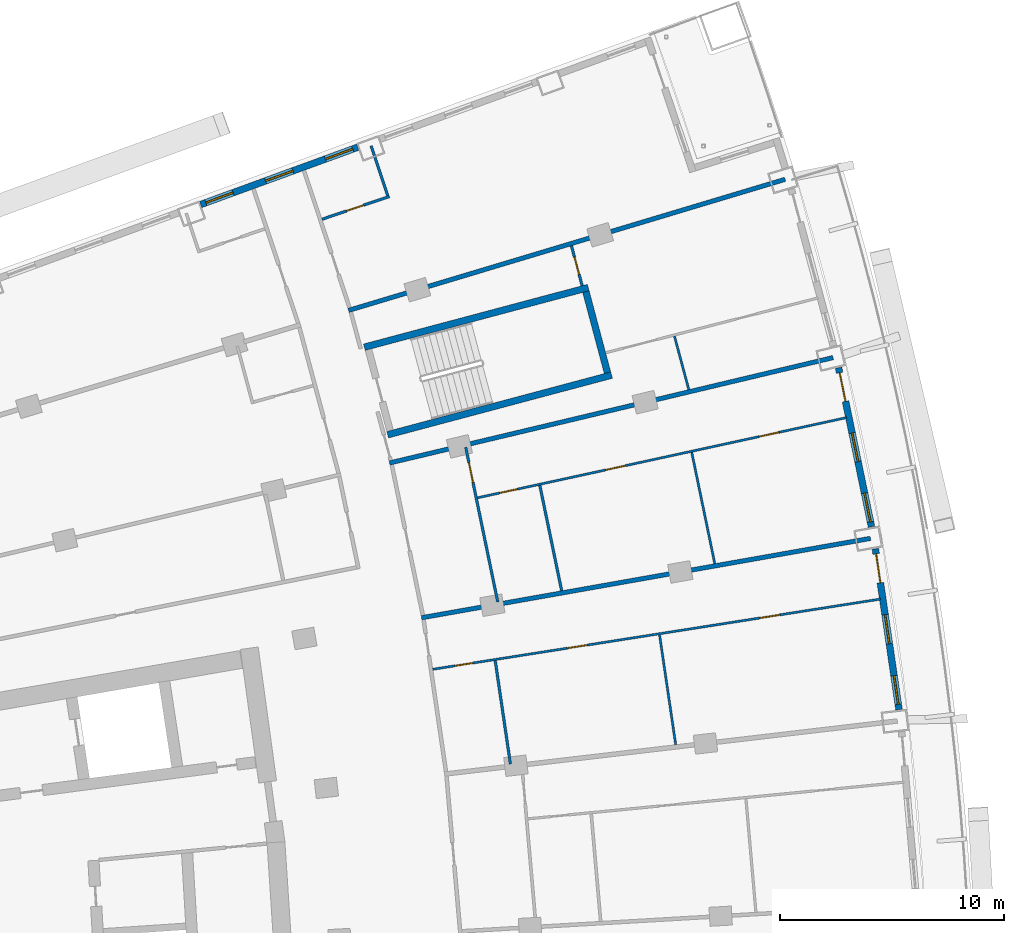
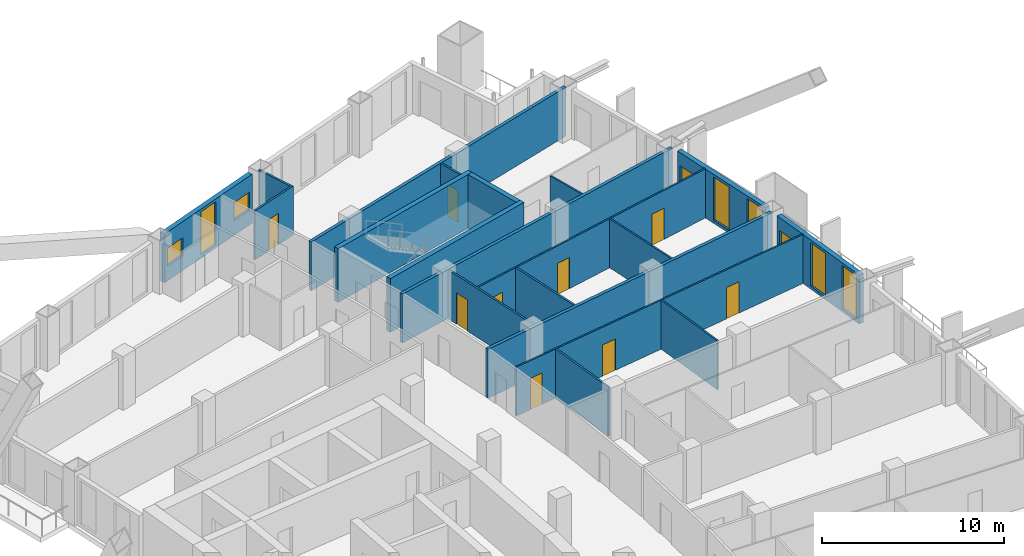
# One storey, part 20 of 25: 20 walls, 11 doors, 7 windows, 18 openings.
"""IFC4 building model written with IfcOpenShell, lengths in metres."""

from ifc_helpers import new_model, si_unit, direction, frame, frame_2d, origin, place, context, subcontext, project, spatial, rectangle, extrude, material, layer, layer_set, type_object, element, fill, save


model = new_model("IFC4")

# Units and contexts
model_context = context("Model", 3, precision=1e-05, world=origin(), true_north=direction((0.0, 1.0)))
body_context = subcontext(model_context, "Body", "Model", "MODEL_VIEW")
ifc_project = project(units=[si_unit("LENGTHUNIT", "METRE"), si_unit("AREAUNIT", "SQUARE_METRE"), si_unit("VOLUMEUNIT", "CUBIC_METRE"), si_unit("PLANEANGLEUNIT", "RADIAN"), si_unit("MASSUNIT", "GRAM", prefix="KILO")], contexts=[model_context])

# Site, building, storey
site_placement = place(None, origin())
site = spatial("IfcSite", under=ifc_project, at=site_placement, CompositionType="ELEMENT")
building_placement = place(site_placement, origin())
building = spatial("IfcBuilding", under=site, at=building_placement, Name="Alderwake Tower", CompositionType="ELEMENT")
storey_placement = place(building_placement, frame((0.0, 0.0, 93.199951171875)))
storey = spatial("IfcBuildingStorey", under=building, at=storey_placement, Name="L22", CompositionType="ELEMENT", Elevation=93.199951171875)

# Walls
ifc_material_1 = material(Name="Concrete C70/85", Category="concrete")
ifc_layer_1 = layer(ifc_material_1, 0.300048828125)
ifc_layer_set_1 = layer_set([ifc_layer_1], Name="Core wall stair enclosure 300 C70-85")
wall_type_1 = type_object("IfcWallType", Name="Core wall stair enclosure 300 C70-85", PredefinedType="SHEAR", material=ifc_layer_set_1)
for number, where, z_axis, x_axis, name in (
    (1, (36.71142578125, 94.182373046875, 0.0), (0.0, 0.0, 1.0), (0.966309214305, 0.257383958996, 0.0), "Core wall CW.082"),
    (2, (37.75390625, 90.268798828125, 0.0), (0.0, 0.0, 1.0), (0.966309214305, 0.257383958996, 0.0), "Core wall CW.084"),
):
    element("IfcWall", number, at=place(storey_placement, frame(where, z_axis=z_axis, x_axis=x_axis)), inside=storey, type_object=wall_type_1, Name=name, PredefinedType="SHEAR", context=body_context, shape_type="SweptSolid", body=[
        extrude(rectangle(XDim=10.360107421875, YDim=0.300048828125, at=frame_2d((5.18017578125, 0.0))), origin(), (0.0, 0.0, 1.0), 3.60009765625),
    ])
wall_1_placement = place(storey_placement, frame((47.581298828125, 93.041748046875, 0.0), z_axis=(0.0, 0.0, 1.0), x_axis=(-0.257366821694, 0.966313778796, 0.0)))
element("IfcWall", 3, at=wall_1_placement, inside=storey, type_object=wall_type_1, Name="Core wall CW.081", PredefinedType="SHEAR", context=body_context, shape_type="SweptSolid", body=[
    extrude(rectangle(XDim=3.749755859375, YDim=0.300048828125, at=frame_2d((1.875, 0.0))), origin(), (0.0, 0.0, 1.0), 3.60009765625),
])

# Wall, openings, door, windows
ifc_material_2 = material(Name="Precast concrete C50/60 spandrel panel", Category="concrete")
ifc_layer_2 = layer(ifc_material_2, 0.300048828125)
ifc_layer_set_2 = layer_set([ifc_layer_2], Name="External wall EW1 Precast concrete C50/60 spandrel")
wall_type_2 = type_object("IfcWallType", Name="External wall EW1 Precast concrete C50/60 spandrel", PredefinedType="SOLIDWALL", material=ifc_layer_set_2)
wall_2_placement = place(storey_placement, frame((60.614501953125, 77.98193359375, 0.0), z_axis=(0.0, 0.0, 1.0), x_axis=(-0.145325629986, 0.989383879629, 0.0)))
wall_2 = element("IfcWall", 4, at=wall_2_placement, inside=storey, type_object=wall_type_2, Name="External wall 19", PredefinedType="SOLIDWALL", context=body_context, shape_type="SweptSolid", body=[
    extrude(rectangle(XDim=7.26416015625, YDim=0.300048828125, at=frame_2d((3.632080078125, 0.0))), origin(), (0.0, 0.0, 1.0), 3.280029296875),
])
opening_1_placement = place(wall_2_placement, frame((0.23291015625, 0.0, 0.199951171875)))
opening_1 = element("IfcOpeningElement", 5, at=opening_1_placement, cuts=wall_2, Name="Opening W1", PredefinedType="OPENING", context=body_context, shape_type="SweptSolid", body=[
    extrude(rectangle(XDim=1.300048828125, YDim=2.89990234375, at=frame_2d((0.64990234375, 1.449951171875))), frame((0.0, 0.159912109375, 0.0), z_axis=(0.0, -1.0, 0.0), x_axis=(1.0, 0.0, 0.0)), (0.0, 0.0, 1.0), 0.320068359375),
])
opening_2_placement = place(wall_2_placement, frame((2.98193359375, 0.0, 0.199951171875)))
opening_2 = element("IfcOpeningElement", 6, at=opening_2_placement, cuts=wall_2, Name="Opening W1", PredefinedType="OPENING", context=body_context, shape_type="SweptSolid", body=[
    extrude(rectangle(XDim=1.300048828125, YDim=2.89990234375, at=frame_2d((0.64990234375, 1.449951171875))), frame((0.0, 0.159912109375, 0.0), z_axis=(0.0, -1.0, 0.0), x_axis=(1.0, 0.0, 0.0)), (0.0, 0.0, 1.0), 0.320068359375),
])
opening_3_placement = place(wall_2_placement, frame((5.731201171875, 0.0, 0.0)))
opening_3 = element("IfcOpeningElement", 7, at=opening_3_placement, cuts=wall_2, Name="Opening D09", PredefinedType="OPENING", context=body_context, shape_type="SweptSolid", body=[
    extrude(rectangle(XDim=1.300048828125, YDim=2.39990234375, at=frame_2d((0.64990234375, 1.199951171875))), frame((0.0, 0.159912109375, 0.0), z_axis=(0.0, -1.0, 0.0), x_axis=(1.0, 0.0, 0.0)), (0.0, 0.0, 1.0), 0.320068359375),
])
ifc_material_3 = material(Name="Bronze tinted glass in aluminium frame", Category="aluminium")
door_type_1 = type_object("IfcDoorType", Name="Balcony door BD sliding", OperationType="SLIDING_TO_LEFT", PredefinedType="DOOR", material=ifc_material_3)
door_1_placement = place(opening_3_placement, origin())
door_1 = element("IfcDoor", 8, at=door_1_placement, inside=storey, type_object=door_type_1, Name="Door D09", OperationType="SLIDING_TO_LEFT", OverallHeight=2.39990234375, OverallWidth=1.300048828125, PredefinedType="DOOR", context=body_context, shape_type="SweptSolid", body=[
    extrude(rectangle(XDim=1.300048828125, YDim=2.39990234375, at=frame_2d((0.64990234375, 1.199951171875))), frame((0.0, 0.02490234375, 0.0), z_axis=(0.0, -1.0, 0.0), x_axis=(1.0, 0.0, 0.0)), (0.0, 0.0, 1.0), 0.050048828125),
])
fill(opening_3, door_1)
ifc_material_4 = material(Name="Bronze tinted glass in aluminium frame", Category="aluminium")
window_type_1 = type_object("IfcWindowType", Name="Window W1 tall fixed and vent", PartitioningType="DOUBLE_PANEL_VERTICAL", PredefinedType="WINDOW", material=ifc_material_4)
window_1_placement = place(opening_1_placement, origin())
window_1 = element("IfcWindow", 9, at=window_1_placement, inside=storey, type_object=window_type_1, Name="Window W1 tall fixed and vent", OverallHeight=2.89990234375, OverallWidth=1.300048828125, PartitioningType="DOUBLE_PANEL_VERTICAL", PredefinedType="WINDOW", context=body_context, shape_type="SweptSolid", body=[
    extrude(rectangle(XDim=1.300048828125, YDim=2.89990234375, at=frame_2d((0.64990234375, 1.449951171875))), frame((0.0, 0.030029296875, 0.0), z_axis=(0.0, -1.0, 0.0), x_axis=(1.0, 0.0, 0.0)), (0.0, 0.0, 1.0), 0.06005859375),
])
fill(opening_1, window_1)
window_2_placement = place(opening_2_placement, origin())
window_2 = element("IfcWindow", 10, at=window_2_placement, inside=storey, type_object=window_type_1, Name="Window W1 tall fixed and vent", OverallHeight=2.89990234375, OverallWidth=1.300048828125, PartitioningType="DOUBLE_PANEL_VERTICAL", PredefinedType="WINDOW", context=body_context, shape_type="SweptSolid", body=[
    extrude(rectangle(XDim=1.300048828125, YDim=2.89990234375, at=frame_2d((0.64990234375, 1.449951171875))), frame((0.0, 0.030029296875, 0.0), z_axis=(0.0, -1.0, 0.0), x_axis=(1.0, 0.0, 0.0)), (0.0, 0.0, 1.0), 0.06005859375),
])
fill(opening_2, window_2)

wall_3_placement = place(storey_placement, frame((59.38525390625, 86.15087890625, 0.0), z_axis=(0.0, 0.0, 1.0), x_axis=(-0.20273007486, 0.979234658673, 0.0)))
wall_3 = element("IfcWall", 11, at=wall_3_placement, inside=storey, type_object=wall_type_2, Name="External wall 20", PredefinedType="SOLIDWALL", context=body_context, shape_type="SweptSolid", body=[
    extrude(rectangle(XDim=7.26416015625, YDim=0.300048828125, at=frame_2d((3.632080078125, 0.0))), origin(), (0.0, 0.0, 1.0), 3.280029296875),
])
opening_4_placement = place(wall_3_placement, frame((0.23291015625, 0.0, 0.199951171875)))
opening_4 = element("IfcOpeningElement", 12, at=opening_4_placement, cuts=wall_3, Name="Opening W1", PredefinedType="OPENING", context=body_context, shape_type="SweptSolid", body=[
    extrude(rectangle(XDim=1.300048828125, YDim=2.89990234375, at=frame_2d((0.64990234375, 1.449951171875))), frame((0.0, 0.159912109375, 0.0), z_axis=(0.0, -1.0, 0.0), x_axis=(1.0, 0.0, 0.0)), (0.0, 0.0, 1.0), 0.320068359375),
])
opening_5_placement = place(wall_3_placement, frame((2.98193359375, 0.0, 0.199951171875)))
opening_5 = element("IfcOpeningElement", 13, at=opening_5_placement, cuts=wall_3, Name="Opening W1", PredefinedType="OPENING", context=body_context, shape_type="SweptSolid", body=[
    extrude(rectangle(XDim=1.300048828125, YDim=2.89990234375, at=frame_2d((0.64990234375, 1.449951171875))), frame((0.0, 0.159912109375, 0.0), z_axis=(0.0, -1.0, 0.0), x_axis=(1.0, 0.0, 0.0)), (0.0, 0.0, 1.0), 0.320068359375),
])
opening_6_placement = place(wall_3_placement, frame((5.731201171875, 0.0, 0.0)))
opening_6 = element("IfcOpeningElement", 14, at=opening_6_placement, cuts=wall_3, Name="Opening D10", PredefinedType="OPENING", context=body_context, shape_type="SweptSolid", body=[
    extrude(rectangle(XDim=1.300048828125, YDim=2.39990234375, at=frame_2d((0.64990234375, 1.199951171875))), frame((0.0, 0.159912109375, 0.0), z_axis=(0.0, -1.0, 0.0), x_axis=(1.0, 0.0, 0.0)), (0.0, 0.0, 1.0), 0.320068359375),
])
door_2_placement = place(opening_6_placement, origin())
door_2 = element("IfcDoor", 15, at=door_2_placement, inside=storey, type_object=door_type_1, Name="Door D10", OperationType="SLIDING_TO_LEFT", OverallHeight=2.39990234375, OverallWidth=1.300048828125, PredefinedType="DOOR", context=body_context, shape_type="SweptSolid", body=[
    extrude(rectangle(XDim=1.300048828125, YDim=2.39990234375, at=frame_2d((0.64990234375, 1.199951171875))), frame((0.0, 0.02490234375, 0.0), z_axis=(0.0, -1.0, 0.0), x_axis=(1.0, 0.0, 0.0)), (0.0, 0.0, 1.0), 0.050048828125),
])
fill(opening_6, door_2)
window_3_placement = place(opening_4_placement, origin())
window_3 = element("IfcWindow", 16, at=window_3_placement, inside=storey, type_object=window_type_1, Name="Window W1 tall fixed and vent", OverallHeight=2.89990234375, OverallWidth=1.300048828125, PartitioningType="DOUBLE_PANEL_VERTICAL", PredefinedType="WINDOW", context=body_context, shape_type="SweptSolid", body=[
    extrude(rectangle(XDim=1.300048828125, YDim=2.89990234375, at=frame_2d((0.64990234375, 1.449951171875))), frame((0.0, 0.030029296875, 0.0), z_axis=(0.0, -1.0, 0.0), x_axis=(1.0, 0.0, 0.0)), (0.0, 0.0, 1.0), 0.06005859375),
])
fill(opening_4, window_3)
window_4_placement = place(opening_5_placement, origin())
window_4 = element("IfcWindow", 17, at=window_4_placement, inside=storey, type_object=window_type_1, Name="Window W1 tall fixed and vent", OverallHeight=2.89990234375, OverallWidth=1.300048828125, PartitioningType="DOUBLE_PANEL_VERTICAL", PredefinedType="WINDOW", context=body_context, shape_type="SweptSolid", body=[
    extrude(rectangle(XDim=1.300048828125, YDim=2.89990234375, at=frame_2d((0.64990234375, 1.449951171875))), frame((0.0, 0.030029296875, 0.0), z_axis=(0.0, -1.0, 0.0), x_axis=(1.0, 0.0, 0.0)), (0.0, 0.0, 1.0), 0.06005859375),
])
fill(opening_5, window_4)

# Wall, openings, windows
ifc_material_5 = material(Name="Bronze metal cladding on lightweight framing")
ifc_layer_3 = layer(ifc_material_5, 0.300048828125)
ifc_layer_set_3 = layer_set([ifc_layer_3], Name="External wall EW2 bronze metal cladding")
wall_type_3 = type_object("IfcWallType", Name="External wall EW2 bronze metal cladding", PredefinedType="SOLIDWALL", material=ifc_layer_set_3)
wall_4_placement = place(storey_placement, frame((36.4189453125, 103.123779296875, 0.0), z_axis=(0.0, 0.0, 1.0), x_axis=(-0.939370505087, -0.342903855582, 0.0)))
wall_4 = element("IfcWall", 18, at=wall_4_placement, inside=storey, type_object=wall_type_3, Name="External wall 27", PredefinedType="SOLIDWALL", context=body_context, shape_type="SweptSolid", body=[
    extrude(rectangle(XDim=7.479248046875, YDim=0.300048828125, at=frame_2d((3.73974609375, 0.0))), origin(), (0.0, 0.0, 1.0), 3.280029296875),
])
opening_7_placement = place(wall_4_placement, frame((0.2451171875, 0.0, 1.0)))
opening_7 = element("IfcOpeningElement", 19, at=opening_7_placement, cuts=wall_4, Name="Opening W2", PredefinedType="OPENING", context=body_context, shape_type="SweptSolid", body=[
    extrude(rectangle(XDim=1.300048828125, YDim=1.199951171875, at=frame_2d((0.64990234375, 0.60009765625))), frame((0.0, 0.159912109375, 0.0), z_axis=(0.0, -1.0, 0.0), x_axis=(1.0, 0.0, 0.0)), (0.0, 0.0, 1.0), 0.320068359375),
])
opening_8_placement = place(wall_4_placement, frame((3.089599609375, 0.0, 0.199951171875)))
opening_8 = element("IfcOpeningElement", 20, at=opening_8_placement, cuts=wall_4, Name="Opening W1", PredefinedType="OPENING", context=body_context, shape_type="SweptSolid", body=[
    extrude(rectangle(XDim=1.300048828125, YDim=2.89990234375, at=frame_2d((0.64990234375, 1.449951171875))), frame((0.0, 0.159912109375, 0.0), z_axis=(0.0, -1.0, 0.0), x_axis=(1.0, 0.0, 0.0)), (0.0, 0.0, 1.0), 0.320068359375),
])
opening_9_placement = place(wall_4_placement, frame((5.93408203125, 0.0, 1.0)))
opening_9 = element("IfcOpeningElement", 21, at=opening_9_placement, cuts=wall_4, Name="Opening W2", PredefinedType="OPENING", context=body_context, shape_type="SweptSolid", body=[
    extrude(rectangle(XDim=1.300048828125, YDim=1.199951171875, at=frame_2d((0.64990234375, 0.60009765625))), frame((0.0, 0.159912109375, 0.0), z_axis=(0.0, -1.0, 0.0), x_axis=(1.0, 0.0, 0.0)), (0.0, 0.0, 1.0), 0.320068359375),
])
window_5_placement = place(opening_8_placement, origin())
window_5 = element("IfcWindow", 22, at=window_5_placement, inside=storey, type_object=window_type_1, Name="Window W1 tall fixed and vent", OverallHeight=2.89990234375, OverallWidth=1.300048828125, PartitioningType="DOUBLE_PANEL_VERTICAL", PredefinedType="WINDOW", context=body_context, shape_type="SweptSolid", body=[
    extrude(rectangle(XDim=1.300048828125, YDim=2.89990234375, at=frame_2d((0.64990234375, 1.449951171875))), frame((0.0, 0.030029296875, 0.0), z_axis=(0.0, -1.0, 0.0), x_axis=(1.0, 0.0, 0.0)), (0.0, 0.0, 1.0), 0.06005859375),
])
fill(opening_8, window_5)
ifc_material_6 = material(Name="Bronze tinted glass in aluminium frame", Category="aluminium")
window_type_2 = type_object("IfcWindowType", Name="Window W2 kitchen and bath", PartitioningType="SINGLE_PANEL", PredefinedType="WINDOW", material=ifc_material_6)
window_6_placement = place(opening_7_placement, origin())
window_6 = element("IfcWindow", 23, at=window_6_placement, inside=storey, type_object=window_type_2, Name="Window W2 kitchen and bath", OverallHeight=1.199951171875, OverallWidth=1.300048828125, PartitioningType="SINGLE_PANEL", PredefinedType="WINDOW", context=body_context, shape_type="SweptSolid", body=[
    extrude(rectangle(XDim=1.300048828125, YDim=1.199951171875, at=frame_2d((0.64990234375, 0.60009765625))), frame((0.0, 0.030029296875, 0.0), z_axis=(0.0, -1.0, 0.0), x_axis=(1.0, 0.0, 0.0)), (0.0, 0.0, 1.0), 0.06005859375),
])
fill(opening_7, window_6)
window_7_placement = place(opening_9_placement, origin())
window_7 = element("IfcWindow", 24, at=window_7_placement, inside=storey, type_object=window_type_2, Name="Window W2 kitchen and bath", OverallHeight=1.199951171875, OverallWidth=1.300048828125, PartitioningType="SINGLE_PANEL", PredefinedType="WINDOW", context=body_context, shape_type="SweptSolid", body=[
    extrude(rectangle(XDim=1.300048828125, YDim=1.199951171875, at=frame_2d((0.64990234375, 0.60009765625))), frame((0.0, 0.030029296875, 0.0), z_axis=(0.0, -1.0, 0.0), x_axis=(1.0, 0.0, 0.0)), (0.0, 0.0, 1.0), 0.06005859375),
])
fill(opening_9, window_7)

# Walls
ifc_material_7 = material(Name="Dense block masonry wall", Category="masonry")
ifc_layer_4 = layer(ifc_material_7, 0.199951171875)
ifc_layer_set_4 = layer_set([ifc_layer_4], Name="Party wall 200")
wall_type_4 = type_object("IfcWallType", Name="Party wall 200", PredefinedType="SOLIDWALL", material=ifc_layer_set_4)
wall_5_placement = place(storey_placement, frame((37.839111328125, 89.006591796875, 0.0), z_axis=(0.0, 0.0, 1.0), x_axis=(0.972919344177, 0.231144867402, 0.0)))
element("IfcWall", 25, at=wall_5_placement, inside=storey, type_object=wall_type_4, Name="WL/L22/W07", PredefinedType="SOLIDWALL", context=body_context, shape_type="SweptSolid", body=[
    extrude(rectangle(XDim=20.378662109375, YDim=0.199951171875, at=frame_2d((10.189453125, 0.0))), origin(), (0.0, 0.0, 1.0), 3.280029296875),
])
wall_6_placement = place(storey_placement, frame((39.269287109375, 82.087158203125, 0.0), z_axis=(0.0, 0.0, 1.0), x_axis=(0.984733595327, 0.174068222933, 0.0)))
element("IfcWall", 26, at=wall_6_placement, inside=storey, type_object=wall_type_4, Name="WL/L22/W08", PredefinedType="SOLIDWALL", context=body_context, shape_type="SweptSolid", body=[
    extrude(rectangle(XDim=20.382080078125, YDim=0.199951171875, at=frame_2d((10.19091796875, 0.0))), origin(), (0.0, 0.0, 1.0), 3.280029296875),
])
wall_7_placement = place(storey_placement, frame((55.52392578125, 101.68798828125, 0.0), z_axis=(0.0, 0.0, 1.0), x_axis=(-0.957755700348, -0.287583063566, 0.0)))
element("IfcWall", 27, at=wall_7_placement, inside=storey, type_object=wall_type_4, Name="WL/L22/W09", PredefinedType="SOLIDWALL", context=body_context, shape_type="SweptSolid", body=[
    extrude(rectangle(XDim=20.38037109375, YDim=0.199951171875, at=frame_2d((10.190185546875, 0.0))), origin(), (0.0, 0.0, 1.0), 3.280029296875),
])

# Wall, openings, doors
ifc_material_8 = material(Name="Gypsum board on metal studs")
ifc_layer_5 = layer(ifc_material_8, 0.10009765625)
ifc_layer_set_5 = layer_set([ifc_layer_5], Name="Unit partition 100")
wall_type_5 = type_object("IfcWallType", Name="Unit partition 100", PredefinedType="PARTITIONING", material=ifc_layer_set_5)
wall_8_placement = place(storey_placement, frame((59.787109375, 82.923095703125, 0.0), z_axis=(0.0, 0.0, 1.0), x_axis=(-0.987915475179, -0.154993593101, 0.0)))
wall_8 = element("IfcWall", 28, at=wall_8_placement, inside=storey, type_object=wall_type_5, Name="WL/L22/W72", PredefinedType="PARTITIONING", context=body_context, shape_type="SweptSolid", body=[
    extrude(rectangle(XDim=20.262939453125, YDim=0.10009765625, at=frame_2d((10.13134765625, 0.0))), origin(), (0.0, 0.0, 1.0), 3.280029296875),
])
opening_10_placement = place(wall_8_placement, frame((13.2744140625, 0.0, 0.0)))
opening_10 = element("IfcOpeningElement", 29, at=opening_10_placement, cuts=wall_8, Name="Opening R06-U10.1", PredefinedType="OPENING", context=body_context, shape_type="SweptSolid", body=[
    extrude(rectangle(XDim=0.89990234375, YDim=2.10009765625, at=frame_2d((0.449951171875, 1.050048828125))), frame((0.0, 0.06005859375, 0.0), z_axis=(0.0, -1.0, 0.0), x_axis=(1.0, 0.0, 0.0)), (0.0, 0.0, 1.0), 0.1201171875),
])
opening_11_placement = place(wall_8_placement, frame((18.45263671875, 0.0, 0.0)))
opening_11 = element("IfcOpeningElement", 30, at=opening_11_placement, cuts=wall_8, Name="Opening R06-U10.3", PredefinedType="OPENING", context=body_context, shape_type="SweptSolid", body=[
    extrude(rectangle(XDim=0.800048828125, YDim=2.10009765625, at=frame_2d((0.39990234375, 1.050048828125))), frame((0.0, 0.06005859375, 0.0), z_axis=(0.0, -1.0, 0.0), x_axis=(1.0, 0.0, 0.0)), (0.0, 0.0, 1.0), 0.1201171875),
])
opening_12_placement = place(wall_8_placement, frame((4.552978515625, 0.0, 0.0)))
opening_12 = element("IfcOpeningElement", 31, at=opening_12_placement, cuts=wall_8, Name="Opening R06-U10.4", PredefinedType="OPENING", context=body_context, shape_type="SweptSolid", body=[
    extrude(rectangle(XDim=0.89990234375, YDim=2.10009765625, at=frame_2d((0.449951171875, 1.050048828125))), frame((0.0, 0.06005859375, 0.0), z_axis=(0.0, -1.0, 0.0), x_axis=(1.0, 0.0, 0.0)), (0.0, 0.0, 1.0), 0.1201171875),
])
ifc_material_9 = material(Name="Painted timber leaf", Category="wood")
door_type_2 = type_object("IfcDoorType", Name="Bathroom door 800", OperationType="SINGLE_SWING_LEFT", PredefinedType="DOOR", material=ifc_material_9)
door_3_placement = place(opening_11_placement, origin())
door_3 = element("IfcDoor", 32, at=door_3_placement, inside=storey, type_object=door_type_2, Name="DR/L22/U10.3", OperationType="SINGLE_SWING_LEFT", OverallHeight=2.10009765625, OverallWidth=0.800048828125, PredefinedType="DOOR", context=body_context, shape_type="SweptSolid", body=[
    extrude(rectangle(XDim=0.800048828125, YDim=2.10009765625, at=frame_2d((0.39990234375, 1.050048828125))), frame((0.0, 0.02490234375, 0.0), z_axis=(0.0, -1.0, 0.0), x_axis=(1.0, 0.0, 0.0)), (0.0, 0.0, 1.0), 0.050048828125),
])
fill(opening_11, door_3)
ifc_material_10 = material(Name="Painted timber leaf", Category="wood")
door_type_3 = type_object("IfcDoorType", Name="Room door 900", OperationType="SINGLE_SWING_LEFT", PredefinedType="DOOR", material=ifc_material_10)
door_4_placement = place(opening_10_placement, origin())
door_4 = element("IfcDoor", 33, at=door_4_placement, inside=storey, type_object=door_type_3, Name="DR/L22/U10.1", OperationType="SINGLE_SWING_LEFT", OverallHeight=2.10009765625, OverallWidth=0.89990234375, PredefinedType="DOOR", context=body_context, shape_type="SweptSolid", body=[
    extrude(rectangle(XDim=0.89990234375, YDim=2.10009765625, at=frame_2d((0.449951171875, 1.050048828125))), frame((0.0, 0.02490234375, 0.0), z_axis=(0.0, -1.0, 0.0), x_axis=(1.0, 0.0, 0.0)), (0.0, 0.0, 1.0), 0.050048828125),
])
fill(opening_10, door_4)
door_5_placement = place(opening_12_placement, origin())
door_5 = element("IfcDoor", 34, at=door_5_placement, inside=storey, type_object=door_type_3, Name="DR/L22/U10.4", OperationType="SINGLE_SWING_LEFT", OverallHeight=2.10009765625, OverallWidth=0.89990234375, PredefinedType="DOOR", context=body_context, shape_type="SweptSolid", body=[
    extrude(rectangle(XDim=0.89990234375, YDim=2.10009765625, at=frame_2d((0.449951171875, 1.050048828125))), frame((0.0, 0.02490234375, 0.0), z_axis=(0.0, -1.0, 0.0), x_axis=(1.0, 0.0, 0.0)), (0.0, 0.0, 1.0), 0.050048828125),
])
fill(opening_12, door_5)

wall_9_placement = place(storey_placement, frame((58.27197265625, 91.034912109375, 0.0), z_axis=(0.0, 0.0, 1.0), x_axis=(-0.977205328279, -0.212296364509, 0.0)))
wall_9 = element("IfcWall", 35, at=wall_9_placement, inside=storey, type_object=wall_type_5, Name="WL/L22/W75", PredefinedType="PARTITIONING", context=body_context, shape_type="SweptSolid", body=[
    extrude(rectangle(XDim=16.883056640625, YDim=0.10009765625, at=frame_2d((8.44140625, 0.0))), origin(), (0.0, 0.0, 1.0), 3.280029296875),
])
opening_13_placement = place(wall_9_placement, frame((10.119873046875, 0.0, 0.0)))
opening_13 = element("IfcOpeningElement", 36, at=opening_13_placement, cuts=wall_9, Name="Opening R06-U11.1", PredefinedType="OPENING", context=body_context, shape_type="SweptSolid", body=[
    extrude(rectangle(XDim=0.89990234375, YDim=2.10009765625, at=frame_2d((0.449951171875, 1.050048828125))), frame((0.0, 0.06005859375, 0.0), z_axis=(0.0, -1.0, 0.0), x_axis=(1.0, 0.0, 0.0)), (0.0, 0.0, 1.0), 0.1201171875),
])
opening_14_placement = place(wall_9_placement, frame((15.06396484375, 0.0, 0.0)))
opening_14 = element("IfcOpeningElement", 37, at=opening_14_placement, cuts=wall_9, Name="Opening R06-U11.4", PredefinedType="OPENING", context=body_context, shape_type="SweptSolid", body=[
    extrude(rectangle(XDim=0.800048828125, YDim=2.10009765625, at=frame_2d((0.39990234375, 1.050048828125))), frame((0.0, 0.06005859375, 0.0), z_axis=(0.0, -1.0, 0.0), x_axis=(1.0, 0.0, 0.0)), (0.0, 0.0, 1.0), 0.1201171875),
])
opening_15_placement = place(wall_9_placement, frame((3.097412109375, 0.0, 0.0)))
opening_15 = element("IfcOpeningElement", 38, at=opening_15_placement, cuts=wall_9, Name="Opening R06-U11.5", PredefinedType="OPENING", context=body_context, shape_type="SweptSolid", body=[
    extrude(rectangle(XDim=0.89990234375, YDim=2.10009765625, at=frame_2d((0.449951171875, 1.050048828125))), frame((0.0, 0.06005859375, 0.0), z_axis=(0.0, -1.0, 0.0), x_axis=(1.0, 0.0, 0.0)), (0.0, 0.0, 1.0), 0.1201171875),
])
door_6_placement = place(opening_14_placement, origin())
door_6 = element("IfcDoor", 39, at=door_6_placement, inside=storey, type_object=door_type_2, Name="DR/L22/U11.4", OperationType="SINGLE_SWING_LEFT", OverallHeight=2.10009765625, OverallWidth=0.800048828125, PredefinedType="DOOR", context=body_context, shape_type="SweptSolid", body=[
    extrude(rectangle(XDim=0.800048828125, YDim=2.10009765625, at=frame_2d((0.39990234375, 1.050048828125))), frame((0.0, 0.02490234375, 0.0), z_axis=(0.0, -1.0, 0.0), x_axis=(1.0, 0.0, 0.0)), (0.0, 0.0, 1.0), 0.050048828125),
])
fill(opening_14, door_6)
door_7_placement = place(opening_13_placement, origin())
door_7 = element("IfcDoor", 40, at=door_7_placement, inside=storey, type_object=door_type_3, Name="DR/L22/U11.1", OperationType="SINGLE_SWING_LEFT", OverallHeight=2.10009765625, OverallWidth=0.89990234375, PredefinedType="DOOR", context=body_context, shape_type="SweptSolid", body=[
    extrude(rectangle(XDim=0.89990234375, YDim=2.10009765625, at=frame_2d((0.449951171875, 1.050048828125))), frame((0.0, 0.02490234375, 0.0), z_axis=(0.0, -1.0, 0.0), x_axis=(1.0, 0.0, 0.0)), (0.0, 0.0, 1.0), 0.050048828125),
])
fill(opening_13, door_7)
door_8_placement = place(opening_15_placement, origin())
door_8 = element("IfcDoor", 41, at=door_8_placement, inside=storey, type_object=door_type_3, Name="DR/L22/U11.5", OperationType="SINGLE_SWING_LEFT", OverallHeight=2.10009765625, OverallWidth=0.89990234375, PredefinedType="DOOR", context=body_context, shape_type="SweptSolid", body=[
    extrude(rectangle(XDim=0.89990234375, YDim=2.10009765625, at=frame_2d((0.449951171875, 1.050048828125))), frame((0.0, 0.02490234375, 0.0), z_axis=(0.0, -1.0, 0.0), x_axis=(1.0, 0.0, 0.0)), (0.0, 0.0, 1.0), 0.050048828125),
])
fill(opening_15, door_8)

# Walls
wall_10_placement = place(storey_placement, frame((50.63134765625, 76.409912109375, 0.0), z_axis=(0.0, 0.0, 1.0), x_axis=(-0.145440200606, 0.989367044149, 0.0)))
element("IfcWall", 42, at=wall_10_placement, inside=storey, type_object=wall_type_5, Name="WL/L22/W82", PredefinedType="PARTITIONING", context=body_context, shape_type="SweptSolid", body=[
    extrude(rectangle(XDim=4.96533203125, YDim=0.10009765625, at=frame_2d((2.482666015625, 0.0))), origin(), (0.0, 0.0, 1.0), 3.280029296875),
])
wall_11_placement = place(storey_placement, frame((51.217041015625, 92.28662109375, 0.0), z_axis=(0.0, 0.0, 1.0), x_axis=(-0.259442778972, 0.965758481422, 0.0)))
element("IfcWall", 43, at=wall_11_placement, inside=storey, type_object=wall_type_5, Name="WL/L22/W85", PredefinedType="PARTITIONING", context=body_context, shape_type="SweptSolid", body=[
    extrude(rectangle(XDim=2.474853515625, YDim=0.10009765625, at=frame_2d((1.2373046875, 0.0))), origin(), (0.0, 0.0, 1.0), 3.280029296875),
])
wall_12_placement = place(storey_placement, frame((52.377685546875, 84.506103515625, 0.0), z_axis=(0.0, 0.0, 1.0), x_axis=(-0.202508645779, 0.979280474831, 0.0)))
element("IfcWall", 44, at=wall_12_placement, inside=storey, type_object=wall_type_5, Name="WL/L22/W88", PredefinedType="PARTITIONING", context=body_context, shape_type="SweptSolid", body=[
    extrude(rectangle(XDim=5.0791015625, YDim=0.10009765625, at=frame_2d((2.53955078125, 0.0))), origin(), (0.0, 0.0, 1.0), 3.280029296875),
])

# Wall, opening, door
ifc_material_11 = material(Name="Moisture resistant gypsum board on metal studs")
ifc_layer_6 = layer(ifc_material_11, 0.1201171875)
ifc_layer_set_6 = layer_set([ifc_layer_6], Name="Wet room partition 120")
wall_type_6 = type_object("IfcWallType", Name="Wet room partition 120", PredefinedType="PARTITIONING", material=ifc_layer_set_6)
wall_13_placement = place(storey_placement, frame((34.81884765625, 99.901611328125, 0.0), z_axis=(0.0, 0.0, 1.0), x_axis=(0.947175058373, 0.320717022928, 0.0)))
wall_13 = element("IfcWall", 45, at=wall_13_placement, inside=storey, type_object=wall_type_6, Name="WL/L22/W53", PredefinedType="PARTITIONING", context=body_context, shape_type="SweptSolid", body=[
    extrude(rectangle(XDim=3.178955078125, YDim=0.1201171875, at=frame_2d((1.58935546875, 0.0))), origin(), (0.0, 0.0, 1.0), 3.280029296875),
])
opening_16_placement = place(wall_13_placement, frame((1.15966796875, 0.0, 0.0)))
opening_16 = element("IfcOpeningElement", 46, at=opening_16_placement, cuts=wall_13, Name="Opening R06-U04.2", PredefinedType="OPENING", context=body_context, shape_type="SweptSolid", body=[
    extrude(rectangle(XDim=0.800048828125, YDim=2.10009765625, at=frame_2d((0.39990234375, 1.050048828125))), frame((0.0, 0.070068359375, 0.0), z_axis=(0.0, -1.0, 0.0), x_axis=(1.0, 0.0, 0.0)), (0.0, 0.0, 1.0), 0.14013671875),
])
door_9_placement = place(opening_16_placement, origin())
door_9 = element("IfcDoor", 47, at=door_9_placement, inside=storey, type_object=door_type_2, Name="DR/L22/U04.2", OperationType="SINGLE_SWING_LEFT", OverallHeight=2.10009765625, OverallWidth=0.800048828125, PredefinedType="DOOR", context=body_context, shape_type="SweptSolid", body=[
    extrude(rectangle(XDim=0.800048828125, YDim=2.10009765625, at=frame_2d((0.39990234375, 1.050048828125))), frame((0.0, 0.02490234375, 0.0), z_axis=(0.0, -1.0, 0.0), x_axis=(1.0, 0.0, 0.0)), (0.0, 0.0, 1.0), 0.050048828125),
])
fill(opening_16, door_9)

# Wall
wall_14_placement = place(storey_placement, frame((37.754150390625, 100.958984375, 0.0), z_axis=(0.0, 0.0, 1.0), x_axis=(-0.314726191852, 0.949182503085, 0.0)))
element("IfcWall", 48, at=wall_14_placement, inside=storey, type_object=wall_type_6, Name="WL/L22/W56", PredefinedType="PARTITIONING", context=body_context, shape_type="SweptSolid", body=[
    extrude(rectangle(XDim=2.341796875, YDim=0.1201171875, at=frame_2d((1.1708984375, 0.0))), origin(), (0.0, 0.0, 1.0), 3.280029296875),
])

# Wall, opening, door
wall_15_placement = place(storey_placement, frame((41.243408203125, 89.712890625, 0.0), z_axis=(0.0, 0.0, 1.0), x_axis=(0.202695854643, -0.979241742631, 0.0)))
wall_15 = element("IfcWall", 49, at=wall_15_placement, inside=storey, type_object=wall_type_6, Name="WL/L22/W58", PredefinedType="PARTITIONING", context=body_context, shape_type="SweptSolid", body=[
    extrude(rectangle(XDim=7.066650390625, YDim=0.1201171875, at=frame_2d((3.533203125, 0.0))), origin(), (0.0, 0.0, 1.0), 3.280029296875),
])
opening_17_placement = place(wall_15_placement, frame((0.711669921875, 0.0, 0.0)))
opening_17 = element("IfcOpeningElement", 50, at=opening_17_placement, cuts=wall_15, Name="Opening R06-U11.3", PredefinedType="OPENING", context=body_context, shape_type="SweptSolid", body=[
    extrude(rectangle(XDim=0.89990234375, YDim=2.10009765625, at=frame_2d((0.449951171875, 1.050048828125))), frame((0.0, 0.070068359375, 0.0), z_axis=(0.0, -1.0, 0.0), x_axis=(1.0, 0.0, 0.0)), (0.0, 0.0, 1.0), 0.14013671875),
])
door_10_placement = place(opening_17_placement, origin())
door_10 = element("IfcDoor", 51, at=door_10_placement, inside=storey, type_object=door_type_3, Name="DR/L22/U11.3", OperationType="SINGLE_SWING_LEFT", OverallHeight=2.10009765625, OverallWidth=0.89990234375, PredefinedType="DOOR", context=body_context, shape_type="SweptSolid", body=[
    extrude(rectangle(XDim=0.89990234375, YDim=2.10009765625, at=frame_2d((0.449951171875, 1.050048828125))), frame((0.0, 0.02490234375, 0.0), z_axis=(0.0, -1.0, 0.0), x_axis=(1.0, 0.0, 0.0)), (0.0, 0.0, 1.0), 0.050048828125),
])
fill(opening_17, door_10)

# Walls
wall_16_placement = place(storey_placement, frame((43.242431640625, 75.5458984375, 0.0), z_axis=(0.0, 0.0, 1.0), x_axis=(-0.145515042, 0.989356039326, 0.0)))
element("IfcWall", 52, at=wall_16_placement, inside=storey, type_object=wall_type_6, Name="WL/L22/W61", PredefinedType="PARTITIONING", context=body_context, shape_type="SweptSolid", body=[
    extrude(rectangle(XDim=4.67431640625, YDim=0.1201171875, at=frame_2d((2.337158203125, 0.0))), origin(), (0.0, 0.0, 1.0), 3.280029296875),
])
wall_17_placement = place(storey_placement, frame((45.53173828125, 83.297119140625, 0.0), z_axis=(0.0, 0.0, 1.0), x_axis=(-0.202763480801, 0.979227742077, 0.0)))
element("IfcWall", 53, at=wall_17_placement, inside=storey, type_object=wall_type_6, Name="WL/L22/W66", PredefinedType="PARTITIONING", context=body_context, shape_type="SweptSolid", body=[
    extrude(rectangle(XDim=4.806640625, YDim=0.1201171875, at=frame_2d((2.4033203125, 0.0))), origin(), (0.0, 0.0, 1.0), 3.280029296875),
])

# Wall, opening, door
wall_18_placement = place(storey_placement, frame((46.448974609375, 96.929931640625, 0.0), z_axis=(0.0, 0.0, 1.0), x_axis=(-0.258764710752, 0.965940383497, 0.0)))
wall_18 = element("IfcWall", 54, at=wall_18_placement, inside=storey, type_object=wall_type_6, Name="WL/L22/W67", PredefinedType="PARTITIONING", context=body_context, shape_type="SweptSolid", body=[
    extrude(rectangle(XDim=1.847412109375, YDim=0.1201171875, at=frame_2d((0.923828125, 0.0))), origin(), (0.0, 0.0, 1.0), 3.280029296875),
])
opening_18_placement = place(wall_18_placement, frame((0.524169921875, 0.0, 0.0)))
opening_18 = element("IfcOpeningElement", 55, at=opening_18_placement, cuts=wall_18, Name="Opening R06-U02.4", PredefinedType="OPENING", context=body_context, shape_type="SweptSolid", body=[
    extrude(rectangle(XDim=0.800048828125, YDim=2.10009765625, at=frame_2d((0.39990234375, 1.050048828125))), frame((0.0, 0.070068359375, 0.0), z_axis=(0.0, -1.0, 0.0), x_axis=(1.0, 0.0, 0.0)), (0.0, 0.0, 1.0), 0.14013671875),
])
door_11_placement = place(opening_18_placement, origin())
door_11 = element("IfcDoor", 56, at=door_11_placement, inside=storey, type_object=door_type_2, Name="DR/L22/U02.4", OperationType="SINGLE_SWING_LEFT", OverallHeight=2.10009765625, OverallWidth=0.800048828125, PredefinedType="DOOR", context=body_context, shape_type="SweptSolid", body=[
    extrude(rectangle(XDim=0.800048828125, YDim=2.10009765625, at=frame_2d((0.39990234375, 1.050048828125))), frame((0.0, 0.02490234375, 0.0), z_axis=(0.0, -1.0, 0.0), x_axis=(1.0, 0.0, 0.0)), (0.0, 0.0, 1.0), 0.050048828125),
])
fill(opening_18, door_11)

save(model, "model.ifc")
